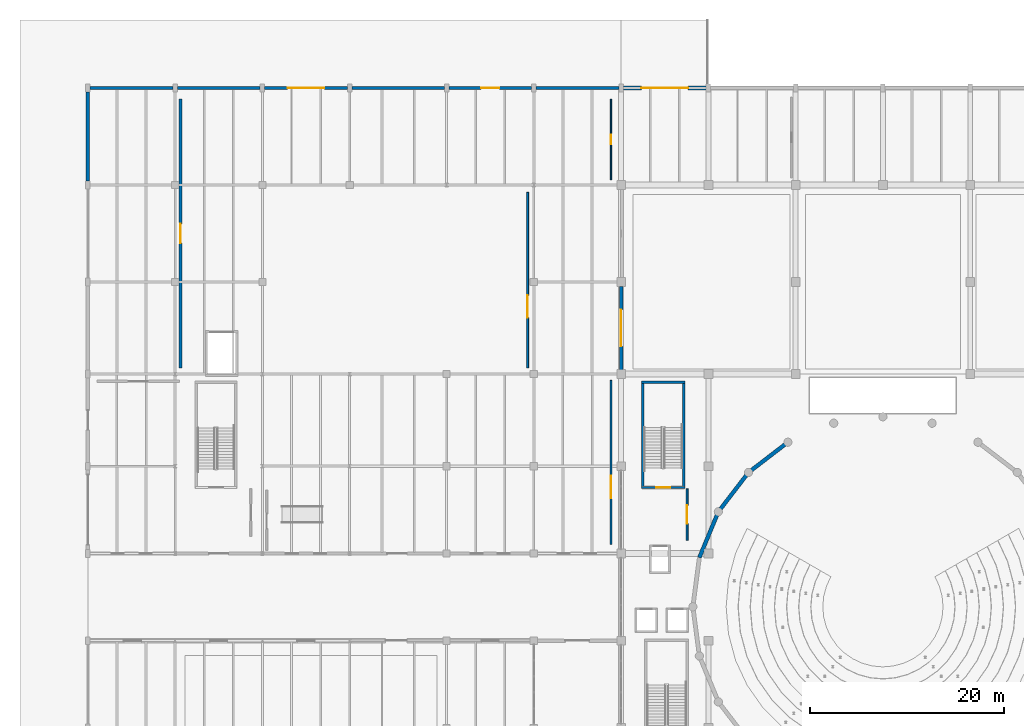
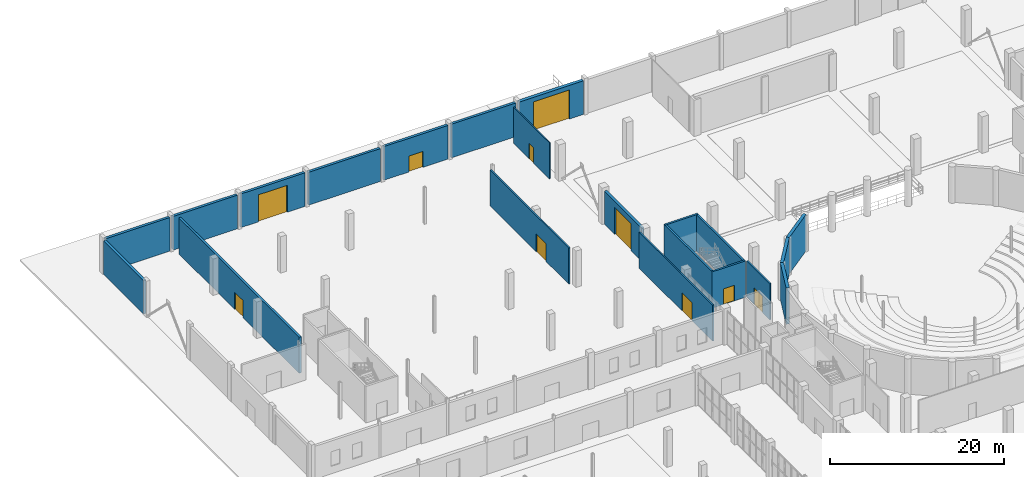
# One storey, part 86 of 103: 21 walls, 10 doors, 10 openings.
"""IFC4 building model written with IfcOpenShell, lengths in metres."""

from ifc_helpers import new_model, si_unit, direction, frame, frame_2d, origin, place, context, subcontext, project, spatial, rectangle, extrude, material, layer, layer_set, type_object, element, fill, save


model = new_model("IFC4")

# Units and contexts
model_context = context("Model", 3, precision=1e-05, world=origin(), true_north=direction((0.0, 1.0)))
body_context = subcontext(model_context, "Body", "Model", "MODEL_VIEW")
ifc_project = project(units=[si_unit("LENGTHUNIT", "METRE"), si_unit("AREAUNIT", "SQUARE_METRE"), si_unit("VOLUMEUNIT", "CUBIC_METRE"), si_unit("PLANEANGLEUNIT", "RADIAN"), si_unit("MASSUNIT", "GRAM", prefix="KILO")], contexts=[model_context])

# Site, building, storey
site_placement = place(None, origin())
site = spatial("IfcSite", under=ifc_project, at=site_placement, CompositionType="ELEMENT")
building_placement = place(site_placement, origin())
building = spatial("IfcBuilding", under=site, at=building_placement, Name="Marnock Terrace Opera House", CompositionType="ELEMENT")
storey_placement = place(building_placement, origin())
storey = spatial("IfcBuildingStorey", under=building, at=storey_placement, Name="L00", CompositionType="ELEMENT", Elevation=0.0)

# Wall, opening, door
ifc_material_1 = material(Name="Basket Range sandstone ashlar masonry", Category="masonry")
ifc_layer_1 = layer(ifc_material_1, 0.429931640625)
ifc_layer_set_1 = layer_set([ifc_layer_1], Name="Basket Range sandstone ashlar masonry")
wall_type_1 = type_object("IfcWallType", Name="EW-ASHLAR-430", PredefinedType="SOLIDWALL", material=ifc_layer_set_1)
wall_1_placement = place(storey_placement, frame((55.220947265625, 114.0, 0.0), z_axis=(0.0, 0.0, 1.0), x_axis=(1.0, 0.0, 0.0)))
wall_1 = element("IfcWall", 1, at=wall_1_placement, inside=storey, type_object=wall_type_1, Name="L00 Stage House north wall 1", PredefinedType="SOLIDWALL", context=body_context, shape_type="SweptSolid", body=[
    extrude(rectangle(XDim=8.55810546875, YDim=0.429931640625, at=frame_2d((4.279052734375, 0.0))), origin(), (0.0, 0.0, 1.0), 4.7314453125),
])
opening_1_placement = place(wall_1_placement, frame((1.87890625, 0.0, 0.0)))
opening_1 = element("IfcOpeningElement", 2, at=opening_1_placement, cuts=wall_1, Name="Opening SG-02", PredefinedType="OPENING", context=body_context, shape_type="SweptSolid", body=[
    extrude(rectangle(XDim=4.800048828125, YDim=4.10009765625, at=frame_2d((2.39990234375, 2.050048828125))), frame((0.0, 0.224853515625, 0.0), z_axis=(0.0, -1.0, 0.0), x_axis=(1.0, 0.0, 0.0)), (0.0, 0.0, 1.0), 0.449951171875),
])
ifc_material_2 = material(Name="Galvanised architectural steel framing", Category="steel")
door_type_1 = type_object("IfcDoorType", Name="DT-SCENE-4800", OperationType="NOTDEFINED", PredefinedType="GATE", material=ifc_material_2)
door_1_placement = place(opening_1_placement, origin())
door_1 = element("IfcDoor", 3, at=door_1_placement, inside=storey, type_object=door_type_1, Name="Exterior door SG-02", OperationType="DOUBLE_DOOR_SINGLE_SWING", OverallHeight=4.10009765625, OverallWidth=4.800048828125, PredefinedType="GATE", context=body_context, shape_type="SweptSolid", body=[
    extrude(rectangle(XDim=4.800048828125, YDim=4.10009765625, at=frame_2d((2.39990234375, 2.050048828125))), frame((0.0, 0.02490234375, 0.0), z_axis=(0.0, -1.0, 0.0), x_axis=(1.0, 0.0, 0.0)), (0.0, 0.0, 1.0), 0.050048828125),
])
fill(opening_1, door_1)

# Walls
ifc_material_3 = material(Name="Carey Gully rusticated stone masonry", Category="masonry")
ifc_layer_2 = layer(ifc_material_3, 0.340087890625)
ifc_layer_set_2 = layer_set([ifc_layer_2], Name="Carey Gully rusticated stone masonry")
wall_type_2 = type_object("IfcWallType", Name="EW-WORK-340", PredefinedType="SOLIDWALL", material=ifc_layer_set_2)
wall_2_placement = place(storey_placement, frame((0.0, 104.39599609375, 0.0), z_axis=(0.0, 0.0, 1.0), x_axis=(0.0, 1.0, 0.0)))
element("IfcWall", 4, at=wall_2_placement, inside=storey, type_object=wall_type_2, Name="L00 Workshops west stone wall 5", PredefinedType="SOLIDWALL", context=body_context, shape_type="SweptSolid", body=[
    extrude(rectangle(XDim=9.2080078125, YDim=0.340087890625, at=frame_2d((4.60400390625, 0.0))), origin(), (0.0, 0.0, 1.0), 4.7314453125),
])
for number, where, z_axis, x_axis, name in (
    (5, (0.220947265625, 114.0, 0.0), (0.0, 0.0, 1.0), (1.0, 0.0, 0.0), "L00 Workshops north facade wall 1"),
    (6, (9.220947265625, 114.0, 0.0), (0.0, 0.0, 1.0), (1.0, 0.0, 0.0), "L00 Workshops north facade wall 2"),
):
    element("IfcWall", number, at=place(storey_placement, frame(where, z_axis=z_axis, x_axis=x_axis)), inside=storey, type_object=wall_type_2, Name=name, PredefinedType="SOLIDWALL", context=body_context, shape_type="SweptSolid", body=[
        extrude(rectangle(XDim=8.55810546875, YDim=0.340087890625, at=frame_2d((4.279052734375, 0.0))), origin(), (0.0, 0.0, 1.0), 4.7314453125),
    ])

# Wall, opening, door
wall_3_placement = place(storey_placement, frame((18.220947265625, 114.0, 0.0), z_axis=(0.0, 0.0, 1.0), x_axis=(1.0, 0.0, 0.0)))
wall_3 = element("IfcWall", 7, at=wall_3_placement, inside=storey, type_object=wall_type_2, Name="L00 Workshops north facade wall 3", PredefinedType="SOLIDWALL", context=body_context, shape_type="SweptSolid", body=[
    extrude(rectangle(XDim=8.55810546875, YDim=0.340087890625, at=frame_2d((4.279052734375, 0.0))), origin(), (0.0, 0.0, 1.0), 4.7314453125),
])
opening_2_placement = place(wall_3_placement, frame((2.37890625, 0.0, 0.0)))
opening_2 = element("IfcOpeningElement", 8, at=opening_2_placement, cuts=wall_3, Name="Opening SG-01", PredefinedType="OPENING", context=body_context, shape_type="SweptSolid", body=[
    extrude(rectangle(XDim=3.800048828125, YDim=3.800048828125, at=frame_2d((1.89990234375, 1.89990234375))), frame((0.0, 0.179931640625, 0.0), z_axis=(0.0, -1.0, 0.0), x_axis=(1.0, 0.0, 0.0)), (0.0, 0.0, 1.0), 0.360107421875),
])
door_type_2 = type_object("IfcDoorType", Name="DT-SCENE-3800", OperationType="NOTDEFINED", PredefinedType="GATE", material=ifc_material_2)
door_2_placement = place(opening_2_placement, origin())
door_2 = element("IfcDoor", 9, at=door_2_placement, inside=storey, type_object=door_type_2, Name="Exterior door SG-01", OperationType="DOUBLE_DOOR_SINGLE_SWING", OverallHeight=3.800048828125, OverallWidth=3.800048828125, PredefinedType="GATE", context=body_context, shape_type="SweptSolid", body=[
    extrude(rectangle(XDim=3.800048828125, YDim=3.800048828125, at=frame_2d((1.89990234375, 1.89990234375))), frame((0.0, 0.02490234375, 0.0), z_axis=(0.0, -1.0, 0.0), x_axis=(1.0, 0.0, 0.0)), (0.0, 0.0, 1.0), 0.050048828125),
])
fill(opening_2, door_2)

# Wall
wall_4_placement = place(storey_placement, frame((27.220947265625, 114.0, 0.0), z_axis=(0.0, 0.0, 1.0), x_axis=(1.0, 0.0, 0.0)))
element("IfcWall", 10, at=wall_4_placement, inside=storey, type_object=wall_type_2, Name="L00 Workshops north facade wall 4", PredefinedType="SOLIDWALL", context=body_context, shape_type="SweptSolid", body=[
    extrude(rectangle(XDim=9.55810546875, YDim=0.340087890625, at=frame_2d((4.779052734375, 0.0))), origin(), (0.0, 0.0, 1.0), 4.629638671875),
])

# Wall, opening, door
wall_5_placement = place(storey_placement, frame((37.220947265625, 114.0, 0.0), z_axis=(0.0, 0.0, 1.0), x_axis=(1.0, 0.0, 0.0)))
wall_5 = element("IfcWall", 11, at=wall_5_placement, inside=storey, type_object=wall_type_2, Name="L00 Workshops north facade wall 5", PredefinedType="SOLIDWALL", context=body_context, shape_type="SweptSolid", body=[
    extrude(rectangle(XDim=8.55810546875, YDim=0.340087890625, at=frame_2d((4.279052734375, 0.0))), origin(), (0.0, 0.0, 1.0), 4.7314453125),
])
opening_3_placement = place(wall_5_placement, frame((3.3291015625, 0.0, 0.0)))
opening_3 = element("IfcOpeningElement", 12, at=opening_3_placement, cuts=wall_5, Name="Opening ED-11", PredefinedType="OPENING", context=body_context, shape_type="SweptSolid", body=[
    extrude(rectangle(XDim=1.89990234375, YDim=2.25, at=frame_2d((0.949951171875, 1.125))), frame((0.0, 0.179931640625, 0.0), z_axis=(0.0, -1.0, 0.0), x_axis=(1.0, 0.0, 0.0)), (0.0, 0.0, 1.0), 0.360107421875),
])
ifc_material_4 = material(Name="Anodised architectural bronze aluminium framing", Category="aluminium")
door_type_3 = type_object("IfcDoorType", Name="DT-EXIT-1900", OperationType="NOTDEFINED", PredefinedType="DOOR", material=ifc_material_4)
door_3_placement = place(opening_3_placement, origin())
door_3 = element("IfcDoor", 13, at=door_3_placement, inside=storey, type_object=door_type_3, Name="Exterior door ED-11", OperationType="DOUBLE_DOOR_SINGLE_SWING", OverallHeight=2.25, OverallWidth=1.89990234375, PredefinedType="DOOR", context=body_context, shape_type="SweptSolid", body=[
    extrude(rectangle(XDim=1.89990234375, YDim=2.25, at=frame_2d((0.949951171875, 1.125))), frame((0.0, 0.02490234375, 0.0), z_axis=(0.0, -1.0, 0.0), x_axis=(1.0, 0.0, 0.0)), (0.0, 0.0, 1.0), 0.050048828125),
])
fill(opening_3, door_3)

# Wall
wall_6_placement = place(storey_placement, frame((46.220947265625, 114.0, 0.0), z_axis=(0.0, 0.0, 1.0), x_axis=(1.0, 0.0, 0.0)))
element("IfcWall", 14, at=wall_6_placement, inside=storey, type_object=wall_type_2, Name="L00 Workshops north facade wall 6", PredefinedType="SOLIDWALL", context=body_context, shape_type="SweptSolid", body=[
    extrude(rectangle(XDim=8.55810546875, YDim=0.340087890625, at=frame_2d((4.279052734375, 0.0))), origin(), (0.0, 0.0, 1.0), 4.7314453125),
])

# Wall, opening, door
wall_7_placement = place(storey_placement, frame((55.0, 84.946044921875, 0.0), z_axis=(0.0, 0.0, 1.0), x_axis=(0.0, 1.0, 0.0)))
wall_7 = element("IfcWall", 15, at=wall_7_placement, inside=storey, type_object=wall_type_2, Name="Stage and courtyard portal wall SG-03", PredefinedType="SOLIDWALL", context=body_context, shape_type="SweptSolid", body=[
    extrude(rectangle(XDim=8.60791015625, YDim=0.340087890625, at=frame_2d((4.303955078125, 0.0))), origin(), (0.0, 0.0, 1.0), 4.632568359375),
])
opening_4_placement = place(wall_7_placement, frame((2.404052734375, 0.0, 0.0)))
opening_4 = element("IfcOpeningElement", 16, at=opening_4_placement, cuts=wall_7, Name="Opening SG-03", PredefinedType="OPENING", context=body_context, shape_type="SweptSolid", body=[
    extrude(rectangle(XDim=3.800048828125, YDim=3.800048828125, at=frame_2d((1.89990234375, 1.89990234375))), frame((0.0, 0.179931640625, 0.0), z_axis=(0.0, -1.0, 0.0), x_axis=(1.0, 0.0, 0.0)), (0.0, 0.0, 1.0), 0.360107421875),
])
door_4_placement = place(opening_4_placement, origin())
door_4 = element("IfcDoor", 17, at=door_4_placement, inside=storey, type_object=door_type_2, Name="Exterior door SG-03", OperationType="DOUBLE_DOOR_SINGLE_SWING", OverallHeight=3.800048828125, OverallWidth=3.800048828125, PredefinedType="GATE", context=body_context, shape_type="SweptSolid", body=[
    extrude(rectangle(XDim=3.800048828125, YDim=3.800048828125, at=frame_2d((1.89990234375, 1.89990234375))), frame((0.0, 0.02490234375, 0.0), z_axis=(0.0, -1.0, 0.0), x_axis=(1.0, 0.0, 0.0)), (0.0, 0.0, 1.0), 0.050048828125),
])
fill(opening_4, door_4)

ifc_material_5 = material(Name="Double-stud acoustic plasterboard with mineral-wool infill")
ifc_layer_3 = layer(ifc_material_5, 0.294921875)
ifc_layer_set_3 = layer_set([ifc_layer_3], Name="Double-stud acoustic plasterboard with mineral-wool infill")
wall_type_3 = type_object("IfcWallType", Name="IW-ACOUSTIC-295", PredefinedType="PARTITIONING", material=ifc_layer_set_3)
wall_8_placement = place(storey_placement, frame((9.550048828125, 85.14990234375, 0.0), z_axis=(0.0, 0.0, 1.0), x_axis=(0.0, 1.0, 0.0)))
wall_8 = element("IfcWall", 18, at=wall_8_placement, inside=storey, type_object=wall_type_3, Name="L00 Metalwork and Welding Bay acoustic partition wall", PredefinedType="PARTITIONING", context=body_context, shape_type="SweptSolid", body=[
    extrude(rectangle(XDim=27.7001953125, YDim=0.294921875, at=frame_2d((13.85009765625, 0.0))), origin(), (0.0, 0.0, 1.0), 5.070068359375),
])
opening_5_placement = place(wall_8_placement, frame((12.860107421875, 0.0, 0.0)))
opening_5 = element("IfcOpeningElement", 19, at=opening_5_placement, cuts=wall_8, Name="Opening D-L00-21", PredefinedType="OPENING", context=body_context, shape_type="SweptSolid", body=[
    extrude(rectangle(XDim=1.97998046875, YDim=2.419921875, at=frame_2d((0.989990234375, 1.2099609375))), frame((0.0, 0.157470703125, 0.0), z_axis=(0.0, -1.0, 0.0), x_axis=(1.0, 0.0, 0.0)), (0.0, 0.0, 1.0), 0.31494140625),
])
ifc_material_6 = material(Name="Fire-rated acoustic timber-core door assembly", Category="wood")
door_type_4 = type_object("IfcDoorType", Name="DT-WORK-1980", OperationType="NOTDEFINED", PredefinedType="DOOR", material=ifc_material_6)
door_5_placement = place(opening_5_placement, origin())
door_5 = element("IfcDoor", 20, at=door_5_placement, inside=storey, type_object=door_type_4, Name="L00 Metalwork and Welding Bay entrance door", OperationType="DOUBLE_DOOR_SINGLE_SWING", OverallHeight=2.419921875, OverallWidth=1.97998046875, PredefinedType="DOOR", context=body_context, shape_type="SweptSolid", body=[
    extrude(rectangle(XDim=1.97998046875, YDim=2.419921875, at=frame_2d((0.989990234375, 1.2099609375))), frame((0.0, 0.02490234375, 0.0), z_axis=(0.0, -1.0, 0.0), x_axis=(1.0, 0.0, 0.0)), (0.0, 0.0, 1.0), 0.050048828125),
])
fill(opening_5, door_5)

ifc_material_7 = material(Name="Rendered acoustic concrete blockwork", Category="masonry")
ifc_layer_4 = layer(ifc_material_7, 0.18505859375)
ifc_layer_set_4 = layer_set([ifc_layer_4], Name="Rendered acoustic concrete blockwork")
wall_type_4 = type_object("IfcWallType", Name="IW-FIRE-185", PredefinedType="PARTITIONING", material=ifc_layer_set_4)
wall_9_placement = place(storey_placement, frame((53.949951171875, 66.949951171875, 0.0), z_axis=(0.0, 0.0, 1.0), x_axis=(0.0, 1.0, 0.0)))
wall_9 = element("IfcWall", 21, at=wall_9_placement, inside=storey, type_object=wall_type_4, Name="L00 Carpentry Workshop acoustic partition wall", PredefinedType="PARTITIONING", context=body_context, shape_type="SweptSolid", body=[
    extrude(rectangle(XDim=16.900146484375, YDim=0.18505859375, at=frame_2d((8.4501953125, 0.0))), origin(), (0.0, 0.0, 1.0), 5.070068359375),
])
opening_6_placement = place(wall_9_placement, frame((4.764892578125, 0.0, 0.0)))
opening_6 = element("IfcOpeningElement", 22, at=opening_6_placement, cuts=wall_9, Name="Opening D-L00-20", PredefinedType="OPENING", context=body_context, shape_type="SweptSolid", body=[
    extrude(rectangle(XDim=2.300048828125, YDim=2.52001953125, at=frame_2d((1.14990234375, 1.260009765625))), frame((0.0, 0.1025390625, 0.0), z_axis=(0.0, -1.0, 0.0), x_axis=(1.0, 0.0, 0.0)), (0.0, 0.0, 1.0), 0.205078125),
])
door_type_5 = type_object("IfcDoorType", Name="DT-WORK-2300", OperationType="NOTDEFINED", PredefinedType="DOOR", material=ifc_material_6)
door_6_placement = place(opening_6_placement, origin())
door_6 = element("IfcDoor", 23, at=door_6_placement, inside=storey, type_object=door_type_5, Name="L00 Carpentry Workshop entrance door", OperationType="DOUBLE_DOOR_SINGLE_SWING", OverallHeight=2.52001953125, OverallWidth=2.300048828125, PredefinedType="DOOR", context=body_context, shape_type="SweptSolid", body=[
    extrude(rectangle(XDim=2.300048828125, YDim=2.52001953125, at=frame_2d((1.14990234375, 1.260009765625))), frame((0.0, 0.02490234375, 0.0), z_axis=(0.0, -1.0, 0.0), x_axis=(1.0, 0.0, 0.0)), (0.0, 0.0, 1.0), 0.050048828125),
])
fill(opening_6, door_6)

ifc_layer_5 = layer(ifc_material_7, 0.195068359375)
ifc_layer_set_5 = layer_set([ifc_layer_5], Name="Rendered acoustic concrete blockwork")
wall_type_5 = type_object("IfcWallType", Name="IW-FIRE-195", PredefinedType="PARTITIONING", material=ifc_layer_set_5)
wall_10_placement = place(storey_placement, frame((61.800048828125, 67.35009765625, 0.0), z_axis=(0.0, 0.0, 1.0), x_axis=(0.0, 1.0, 0.0)))
wall_10 = element("IfcWall", 24, at=wall_10_placement, inside=storey, type_object=wall_type_5, Name="L00 C3 fire-rated lift and stair lobby wall", PredefinedType="PARTITIONING", context=body_context, shape_type="SweptSolid", body=[
    extrude(rectangle(XDim=5.2998046875, YDim=0.195068359375, at=frame_2d((2.64990234375, 0.0))), origin(), (0.0, 0.0, 1.0), 5.070068359375),
])
opening_7_placement = place(wall_10_placement, frame((1.699951171875, 0.0, 0.0)))
opening_7 = element("IfcOpeningElement", 25, at=opening_7_placement, cuts=wall_10, Name="Opening FD-C3-L00", PredefinedType="OPENING", context=body_context, shape_type="SweptSolid", body=[
    extrude(rectangle(XDim=1.89990234375, YDim=2.300048828125, at=frame_2d((0.949951171875, 1.14990234375))), frame((0.0, 0.107421875, 0.0), z_axis=(0.0, -1.0, 0.0), x_axis=(1.0, 0.0, 0.0)), (0.0, 0.0, 1.0), 0.215087890625),
])
door_type_6 = type_object("IfcDoorType", Name="DT-LOBBY-1900", OperationType="NOTDEFINED", PredefinedType="DOOR", material=ifc_material_6)
door_7_placement = place(opening_7_placement, origin())
door_7 = element("IfcDoor", 26, at=door_7_placement, inside=storey, type_object=door_type_6, Name="L00 C3 lobby self-closing smoke door", OperationType="SINGLE_SWING_RIGHT", OverallHeight=2.300048828125, OverallWidth=1.89990234375, PredefinedType="DOOR", context=body_context, shape_type="SweptSolid", body=[
    extrude(rectangle(XDim=1.89990234375, YDim=2.300048828125, at=frame_2d((0.949951171875, 1.14990234375))), frame((0.0, 0.02490234375, 0.0), z_axis=(0.0, -1.0, 0.0), x_axis=(1.0, 0.0, 0.0)), (0.0, 0.0, 1.0), 0.050048828125),
])
fill(opening_7, door_7)

wall_11_placement = place(storey_placement, frame((45.35009765625, 85.14990234375, 0.0), z_axis=(0.0, 0.0, 1.0), x_axis=(0.0, 1.0, 0.0)))
wall_11 = element("IfcWall", 27, at=wall_11_placement, inside=storey, type_object=wall_type_5, Name="L00 Scenery Workshop acoustic partition wall", PredefinedType="PARTITIONING", context=body_context, shape_type="SweptSolid", body=[
    extrude(rectangle(XDim=18.10009765625, YDim=0.195068359375, at=frame_2d((9.050048828125, 0.0))), origin(), (0.0, 0.0, 1.0), 5.070068359375),
])
opening_8_placement = place(wall_11_placement, frame((5.18505859375, 0.0, 0.0)))
opening_8 = element("IfcOpeningElement", 28, at=opening_8_placement, cuts=wall_11, Name="Opening D-L00-19", PredefinedType="OPENING", context=body_context, shape_type="SweptSolid", body=[
    extrude(rectangle(XDim=2.300048828125, YDim=2.52001953125, at=frame_2d((1.14990234375, 1.260009765625))), frame((0.0, 0.107421875, 0.0), z_axis=(0.0, -1.0, 0.0), x_axis=(1.0, 0.0, 0.0)), (0.0, 0.0, 1.0), 0.215087890625),
])
door_8_placement = place(opening_8_placement, origin())
door_8 = element("IfcDoor", 29, at=door_8_placement, inside=storey, type_object=door_type_5, Name="L00 Scenery Workshop entrance door", OperationType="DOUBLE_DOOR_SINGLE_SWING", OverallHeight=2.52001953125, OverallWidth=2.300048828125, PredefinedType="DOOR", context=body_context, shape_type="SweptSolid", body=[
    extrude(rectangle(XDim=2.300048828125, YDim=2.52001953125, at=frame_2d((1.14990234375, 1.260009765625))), frame((0.0, 0.02490234375, 0.0), z_axis=(0.0, -1.0, 0.0), x_axis=(1.0, 0.0, 0.0)), (0.0, 0.0, 1.0), 0.050048828125),
])
fill(opening_8, door_8)

ifc_layer_6 = layer(ifc_material_5, 0.137939453125)
ifc_layer_set_6 = layer_set([ifc_layer_6], Name="Double-stud acoustic plasterboard with mineral-wool infill")
wall_type_6 = type_object("IfcWallType", Name="IW-PART-138", PredefinedType="PARTITIONING", material=ifc_layer_set_6)
wall_12_placement = place(storey_placement, frame((53.949951171875, 104.550048828125, 0.0), z_axis=(0.0, 0.0, 1.0), x_axis=(0.0, 1.0, 0.0)))
wall_12 = element("IfcWall", 30, at=wall_12_placement, inside=storey, type_object=wall_type_6, Name="L00 Props Assembly Store acoustic partition wall", PredefinedType="PARTITIONING", context=body_context, shape_type="SweptSolid", body=[
    extrude(rectangle(XDim=8.300048828125, YDim=0.137939453125, at=frame_2d((4.14990234375, 0.0))), origin(), (0.0, 0.0, 1.0), 5.070068359375),
])
opening_9_placement = place(wall_12_placement, frame((3.639892578125, 0.0, 0.0)))
opening_9 = element("IfcOpeningElement", 31, at=opening_9_placement, cuts=wall_12, Name="Opening D-L00-22", PredefinedType="OPENING", context=body_context, shape_type="SweptSolid", body=[
    extrude(rectangle(XDim=1.02001953125, YDim=2.179931640625, at=frame_2d((0.510009765625, 1.08984375))), frame((0.0, 0.078857421875, 0.0), z_axis=(0.0, -1.0, 0.0), x_axis=(1.0, 0.0, 0.0)), (0.0, 0.0, 1.0), 0.157958984375),
])
ifc_material_8 = material(Name="Solid-core Tasmanian oak acoustic door leaf")
door_type_7 = type_object("IfcDoorType", Name="DT-SUITE-1020", OperationType="NOTDEFINED", PredefinedType="DOOR", material=ifc_material_8)
door_9_placement = place(opening_9_placement, origin())
door_9 = element("IfcDoor", 32, at=door_9_placement, inside=storey, type_object=door_type_7, Name="L00 Props Assembly Store entrance door", OperationType="SINGLE_SWING_LEFT", OverallHeight=2.179931640625, OverallWidth=1.02001953125, PredefinedType="DOOR", context=body_context, shape_type="SweptSolid", body=[
    extrude(rectangle(XDim=1.02001953125, YDim=2.179931640625, at=frame_2d((0.510009765625, 1.08984375))), frame((0.0, 0.02490234375, 0.0), z_axis=(0.0, -1.0, 0.0), x_axis=(1.0, 0.0, 0.0)), (0.0, 0.0, 1.0), 0.050048828125),
])
fill(opening_9, door_9)

ifc_material_9 = material(Name="Concrete N40 (f'c = 40 MPa)", Category="concrete")
ifc_layer_7 = layer(ifc_material_9, 0.25)
ifc_layer_set_7 = layer_set([ifc_layer_7], Name="Concrete N40 (f'c = 40 MPa)")
wall_type_7 = type_object("IfcWallType", Name="SW-CORE-250", PredefinedType="SHEAR", material=ifc_layer_set_7)
wall_13_placement = place(storey_placement, frame((57.114990234375, 72.800048828125, 0.0), z_axis=(0.0, 0.0, 1.0), x_axis=(1.0, 0.0, 0.0)))
wall_13 = element("IfcWall", 33, at=wall_13_placement, inside=storey, type_object=wall_type_7, Name="L00 Core C3 FRL 120/120/120 shear wall S", PredefinedType="SHEAR", context=body_context, shape_type="SweptSolid", body=[
    extrude(rectangle(XDim=4.449951171875, YDim=0.25, at=frame_2d((2.22509765625, 0.0))), origin(), (0.0, 0.0, 1.0), 5.1201171875),
])
opening_10_placement = place(wall_13_placement, frame((1.5, 0.0, 0.0)))
opening_10 = element("IfcOpeningElement", 34, at=opening_10_placement, cuts=wall_13, Name="Opening SD-C3-L00", PredefinedType="OPENING", context=body_context, shape_type="SweptSolid", body=[
    extrude(rectangle(XDim=1.449951171875, YDim=2.199951171875, at=frame_2d((0.72509765625, 1.10009765625))), frame((0.0, 0.135009765625, 0.0), z_axis=(0.0, -1.0, 0.0), x_axis=(1.0, 0.0, 0.0)), (0.0, 0.0, 1.0), 0.27001953125),
])
door_type_8 = type_object("IfcDoorType", Name="DT-STAIR-1450", OperationType="NOTDEFINED", PredefinedType="DOOR", material=ifc_material_6)
door_10_placement = place(opening_10_placement, origin())
door_10 = element("IfcDoor", 35, at=door_10_placement, inside=storey, type_object=door_type_8, Name="L00 Stair ST-03 fire-isolated exit door", OperationType="SINGLE_SWING_LEFT", OverallHeight=2.199951171875, OverallWidth=1.449951171875, PredefinedType="DOOR", context=body_context, shape_type="SweptSolid", body=[
    extrude(rectangle(XDim=1.449951171875, YDim=2.199951171875, at=frame_2d((0.72509765625, 1.10009765625))), frame((0.0, 0.02490234375, 0.0), z_axis=(0.0, -1.0, 0.0), x_axis=(1.0, 0.0, 0.0)), (0.0, 0.0, 1.0), 0.050048828125),
])
fill(opening_10, door_10)

# Walls
wall_14_placement = place(storey_placement, frame((57.114990234375, 83.639892578125, 0.0), z_axis=(0.0, 0.0, 1.0), x_axis=(1.0, 0.0, 0.0)))
element("IfcWall", 36, at=wall_14_placement, inside=storey, type_object=wall_type_7, Name="L00 Core C3 FRL 120/120/120 shear wall N", PredefinedType="SHEAR", context=body_context, shape_type="SweptSolid", body=[
    extrude(rectangle(XDim=4.449951171875, YDim=0.25, at=frame_2d((2.22509765625, 0.0))), origin(), (0.0, 0.0, 1.0), 5.1201171875),
])
for number, where, z_axis, x_axis, name in (
    (37, (57.239990234375, 72.675048828125, 0.0), (0.0, 0.0, 1.0), (0.0, 1.0, 0.0), "L00 Core C3 FRL 120/120/120 shear wall W"),
    (38, (61.43994140625, 72.675048828125, 0.0), (0.0, 0.0, 1.0), (0.0, 1.0, 0.0), "L00 Core C3 FRL 120/120/120 shear wall E"),
):
    element("IfcWall", number, at=place(storey_placement, frame(where, z_axis=z_axis, x_axis=x_axis)), inside=storey, type_object=wall_type_7, Name=name, PredefinedType="SHEAR", context=body_context, shape_type="SweptSolid", body=[
        extrude(rectangle(XDim=11.08984375, YDim=0.25, at=frame_2d((5.544921875, 0.0))), origin(), (0.0, 0.0, 1.0), 5.1201171875),
    ])
ifc_material_10 = material(Name="Concrete N50 (f'c = 50 MPa)", Category="concrete")
ifc_layer_8 = layer(ifc_material_10, 0.39990234375)
ifc_layer_set_8 = layer_set([ifc_layer_8], Name="Concrete N50 (f'c = 50 MPa)")
wall_type_8 = type_object("IfcWallType", Name="SW-DRUM-400", PredefinedType="SHEAR", material=ifc_layer_set_8)
for number, where, z_axis, x_axis, name in (
    (39, (72.199951171875, 77.47412109375, 0.0), (0.0, 0.0, 1.0), (-0.793279847731, -0.608857194409, 0.0), "L00 cylindrical auditorium drum shear wall 9"),
    (40, (68.14111328125, 74.35888671875, 0.0), (0.0, 0.0, 1.0), (-0.608857194409, -0.793279847731, 0.0), "L00 cylindrical auditorium drum shear wall 10"),
    (41, (65.02587890625, 70.300048828125, 0.0), (0.0, 0.0, 1.0), (-0.382642581018, -0.923896452635, 0.0), "L00 cylindrical auditorium drum shear wall 11"),
):
    element("IfcWall", number, at=place(storey_placement, frame(where, z_axis=z_axis, x_axis=x_axis)), inside=storey, type_object=wall_type_8, Name=name, PredefinedType="SHEAR", context=body_context, shape_type="SweptSolid", body=[
        extrude(rectangle(XDim=5.116455078125, YDim=0.39990234375, at=frame_2d((2.55810546875, 0.0))), origin(), (0.0, 0.0, 1.0), 5.1201171875),
    ])

save(model, "model.ifc")
